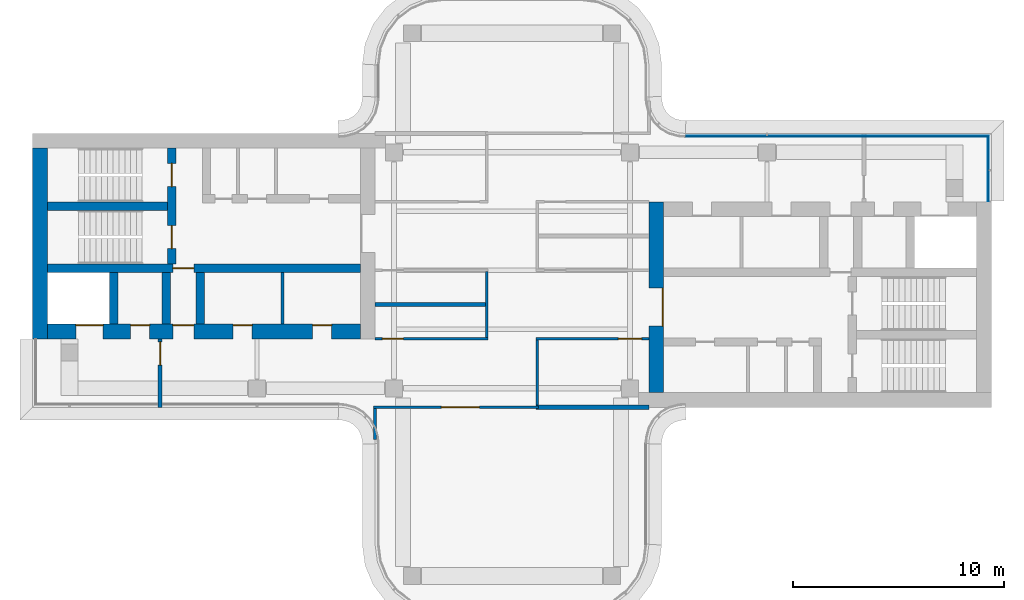
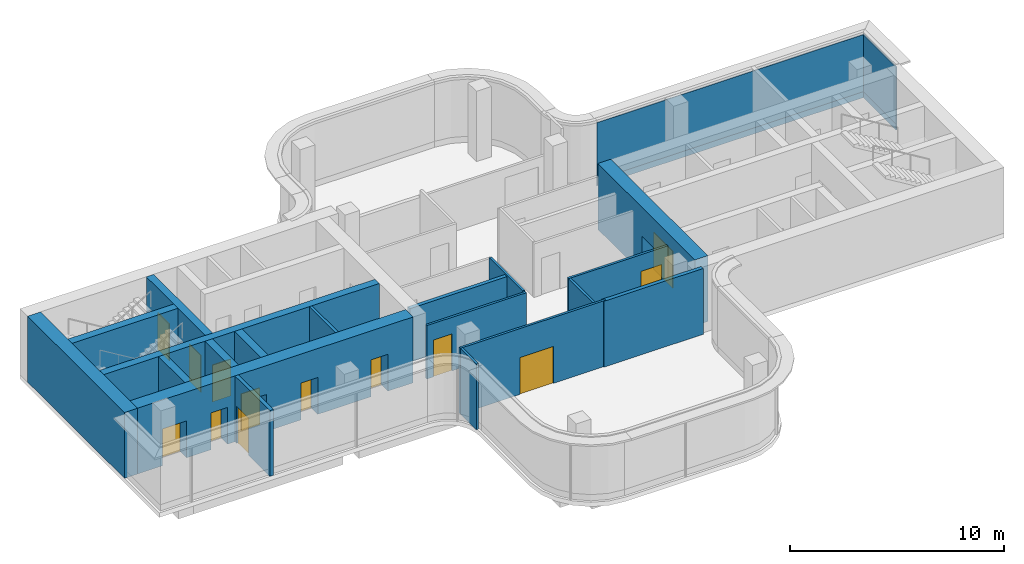
# One storey, part 7 of 10: 19 walls, 13 doors, 4 plates, 13 openings, 2 elements without a shape of their own.
"""IFC4 building model written with IfcOpenShell, lengths in metres."""

import ifcopenshell
import ifcopenshell.guid

model = None  # the IFC model being written
_history = None  # IfcOwnerHistory: only IFC2X3 demands one
_inside = {}  # id of a spatial element -> (the spatial element, [elements in it])
_under = {}  # id of a project, library or spatial element -> (it, [spatial elements below it])
_declared = {}  # id of a project -> (the project, [libraries it declares])
_typed = {}  # id of a type object -> (the type object, [elements of that type])
_made_of = {}  # id of a material, layer set ... -> (it, [elements and type objects made of it])


def new_model(schema):
    """Start an empty IFC model of exactly this schema.

    Asked for "IFC4X3", IfcOpenShell would pick the latest addendum, in which some entities
    have other attributes; the version numbers below select the first issue.
    IFC2X3 requires an IfcOwnerHistory on every rooted entity: one is made here for all.
    """
    global model, _history
    if schema == "IFC4X3":
        model = ifcopenshell.file(schema_version=(4, 3, 0, 0))
    else:
        model = ifcopenshell.file(schema=schema)
    _inside.clear()
    _under.clear()
    _declared.clear()
    _typed.clear()
    _made_of.clear()
    _history = None
    if model.schema == "IFC2X3":
        org = make("IfcOrganization", Name="unknown")
        user = make(
            "IfcPersonAndOrganization",
            ThePerson=make("IfcPerson", FamilyName="unknown"),
            TheOrganization=org,
        )
        app = make(
            "IfcApplication",
            ApplicationDeveloper=org,
            Version="unknown",
            ApplicationFullName="unknown",
            ApplicationIdentifier="unknown",
        )
        _history = make(
            "IfcOwnerHistory",
            OwningUser=user,
            OwningApplication=app,
            ChangeAction="ADDED",
            CreationDate=0,
        )
    return model


def make(cls, **values):
    """One entity of the class cls with the attributes given. An attribute that is None is left unset."""
    return model.create_entity(
        cls, **{name: value for name, value in values.items() if value is not None}
    )


def rooted(cls, **values):
    """An entity with a GlobalId (a new one), such as an element, a storey or a relation."""
    return make(cls, GlobalId=ifcopenshell.guid.new(), OwnerHistory=_history, **values)


def si_unit(unit_type, name, prefix=None):
    """IfcSIUnit, for example si_unit("LENGTHUNIT", "METRE", prefix="MILLI")."""
    return make("IfcSIUnit", UnitType=unit_type, Prefix=prefix, Name=name)


def assignment(units):
    """IfcUnitAssignment: the units of a project."""
    return None if units is None else make("IfcUnitAssignment", Units=units)


def point(xyz):
    """IfcCartesianPoint."""
    return None if xyz is None else make("IfcCartesianPoint", Coordinates=xyz)


def direction(xyz):
    """IfcDirection."""
    return None if xyz is None else make("IfcDirection", DirectionRatios=xyz)


def frame(location, z_axis=None, x_axis=None):
    """IfcAxis2Placement3D, a coordinate frame: its origin and axes. An axis left out is left unset."""
    return make(
        "IfcAxis2Placement3D",
        Location=point(location),
        Axis=direction(z_axis),
        RefDirection=direction(x_axis),
    )


def frame_2d(location, x_axis=None):
    """IfcAxis2Placement2D, a coordinate frame in the plane: its origin and x axis."""
    return make(
        "IfcAxis2Placement2D", Location=point(location), RefDirection=direction(x_axis)
    )


def origin():
    """The frame at (0, 0, 0) with its axes left unset."""
    return frame((0.0, 0.0, 0.0))


def place(relative_to, where):
    """IfcLocalPlacement: puts the frame where relative to a parent placement (None: the world)."""
    return make(
        "IfcLocalPlacement", PlacementRelTo=relative_to, RelativePlacement=where
    )


def context(
    kind, dimensions, precision=None, world=None, true_north=None, identifier=None
):
    """IfcGeometricRepresentationContext, for example the 3D "Model" context."""
    return make(
        "IfcGeometricRepresentationContext",
        ContextIdentifier=identifier,
        ContextType=kind,
        CoordinateSpaceDimension=dimensions,
        Precision=precision,
        WorldCoordinateSystem=world,
        TrueNorth=true_north,
    )


def subcontext(parent, identifier, kind, view, scale=None):
    """IfcGeometricRepresentationSubContext, for example "Body" below "Model"."""
    return make(
        "IfcGeometricRepresentationSubContext",
        ContextIdentifier=identifier,
        ContextType=kind,
        ParentContext=parent,
        TargetScale=scale,
        TargetView=view,
    )


def project(units=None, contexts=None):
    """IfcProject with its units and contexts."""
    return rooted(
        "IfcProject",
        Name="project",
        RepresentationContexts=contexts,
        UnitsInContext=assignment(units),
    )


def spatial(cls, under=None, at=None, **own):
    """A site, building, storey or space (cls), placed at a placement, below another one or the project."""
    s = rooted(cls, ObjectPlacement=at, **own)
    if under is not None:
        _under.setdefault(under.id(), (under, []))[1].append(s)
    return s


def polyline(points):
    """IfcPolyline through the points."""
    return make("IfcPolyline", Points=[point(p) for p in points])


def profile(cls, at=None, kind="AREA", **sizes):
    """A parametric profile (cls). Its sizes go by their IFC names, for example OverallWidth=200.0."""
    return make(cls, ProfileType=kind, Position=at, **sizes)


def rectangle(**sizes):
    """IfcRectangleProfileDef."""
    return profile("IfcRectangleProfileDef", **sizes)


def outline(outer, holes=None, kind="AREA"):
    """IfcArbitraryClosedProfileDef: a profile drawn as a closed curve; with holes, ...WithVoids."""
    if holes is None:
        return make("IfcArbitraryClosedProfileDef", ProfileType=kind, OuterCurve=outer)
    return make(
        "IfcArbitraryProfileDefWithVoids",
        ProfileType=kind,
        OuterCurve=outer,
        InnerCurves=holes,
    )


def extrude(swept, where, along, depth):
    """IfcExtrudedAreaSolid: the profile swept, set in the frame where, extruded along a direction by depth."""
    return make(
        "IfcExtrudedAreaSolid",
        SweptArea=swept,
        Position=where,
        ExtrudedDirection=direction(along),
        Depth=depth,
    )


def shape(context_of_items, identifier, shape_type, items):
    """IfcShapeRepresentation: the items that make up one representation, for example the "Body"."""
    return make(
        "IfcShapeRepresentation",
        ContextOfItems=context_of_items,
        RepresentationIdentifier=identifier,
        RepresentationType=shape_type,
        Items=items,
    )


def source(mapping_origin, context_of_items, identifier, shape_type, items):
    """IfcRepresentationMap: a shape defined once, which mapped items show again and again."""
    return make(
        "IfcRepresentationMap",
        MappingOrigin=mapping_origin,
        MappedRepresentation=shape(context_of_items, identifier, shape_type, items),
    )


def transform(
    local_origin,
    x_axis=None,
    y_axis=None,
    z_axis=None,
    scale=None,
    scale2=None,
    scale3=None,
    uniform=True,
):
    """IfcCartesianTransformationOperator3D, or its non-uniform kind. x_axis, y_axis, z_axis: its Axis1, 2, 3."""
    if uniform:
        return make(
            "IfcCartesianTransformationOperator3D",
            Axis1=direction(x_axis),
            Axis2=direction(y_axis),
            LocalOrigin=point(local_origin),
            Scale=scale,
            Axis3=direction(z_axis),
        )
    return make(
        "IfcCartesianTransformationOperator3DnonUniform",
        Axis1=direction(x_axis),
        Axis2=direction(y_axis),
        LocalOrigin=point(local_origin),
        Scale=scale,
        Axis3=direction(z_axis),
        Scale2=scale2,
        Scale3=scale3,
    )


def mapped(mapping_source, mapping_target):
    """IfcMappedItem: shows the shape of a source again, moved by a transform."""
    return make(
        "IfcMappedItem", MappingSource=mapping_source, MappingTarget=mapping_target
    )


def material(Name=None, Category=None):
    """IfcMaterial."""
    return make("IfcMaterial", Name=Name, Category=Category)


def layer(
    of_material, thickness, ventilated=None, Name=None, Category=None, Priority=None
):
    """IfcMaterialLayer: one layer of a wall or slab, of a material (None: an air gap)."""
    return make(
        "IfcMaterialLayer",
        Material=of_material,
        LayerThickness=thickness,
        IsVentilated=ventilated,
        Name=Name,
        Category=Category,
        Priority=Priority,
    )


def layer_set(layers, Name=None):
    """IfcMaterialLayerSet."""
    return make("IfcMaterialLayerSet", MaterialLayers=layers, LayerSetName=Name)


def made_of(thing, what):
    """Note that an element or type object is made of a material, layer set ...; save() writes the relation."""
    if what is not None:
        _made_of.setdefault(what.id(), (what, []))[1].append(thing)
    return thing


def type_object(cls, material=None, **own):
    """A type object (cls), such as IfcWallType, which elements share."""
    return made_of(rooted(cls, **own), material)


def element(
    cls,
    number,
    at=None,
    inside=None,
    cuts=None,
    type_object=None,
    material=None,
    context=None,
    identifier="Body",
    shape_type=None,
    held_by="IfcProductDefinitionShape",
    body=None,
    shapes=None,
    **own,
):
    """One element of the class cls, such as IfcWall. Its Tag is "e" and its number.

    at: its placement. inside: the storey or other place that contains it. cuts: it is an
    opening in that element (IfcRelVoidsElement). A single representation is given by context,
    identifier, shape_type and body (its items); several are given by shapes. held_by: the class
    of the entity that holds the representations. save() writes the other relations.
    """
    e = rooted(cls, Tag="e%d" % number, ObjectPlacement=at, **own)
    if body is not None:
        shapes = [shape(context, identifier, shape_type, body)]
    if shapes is not None:
        e.Representation = make(held_by, Representations=shapes)
    if inside is not None:
        _inside.setdefault(inside.id(), (inside, []))[1].append(e)
    if cuts is not None:
        rooted(
            "IfcRelVoidsElement", RelatingBuildingElement=cuts, RelatedOpeningElement=e
        )
    if type_object is not None:
        _typed.setdefault(type_object.id(), (type_object, []))[1].append(e)
    return made_of(e, material)


def fill(opening, filler):
    """IfcRelFillsElement: the door or window that sits in an opening."""
    return rooted(
        "IfcRelFillsElement",
        RelatingOpeningElement=opening,
        RelatedBuildingElement=filler,
    )


def aggregate(whole, parts):
    """IfcRelAggregates: a whole, such as a stair, and the parts it consists of."""
    return rooted("IfcRelAggregates", RelatingObject=whole, RelatedObjects=parts)


def save(model, path):
    """Write the relations noted so far, then the file.

    IfcRelAggregates (storeys below a building ...), IfcRelContainedInSpatialStructure (elements
    in a storey), IfcRelDefinesByType, IfcRelAssociatesMaterial and IfcRelDeclares: one each for
    every whole, place, type object, material and project.
    """
    for whole, parts in _under.values():
        aggregate(whole, parts)
    for where, things in _inside.values():
        rooted(
            "IfcRelContainedInSpatialStructure",
            RelatedElements=things,
            RelatingStructure=where,
        )
    for kind, things in _typed.values():
        rooted("IfcRelDefinesByType", RelatedObjects=things, RelatingType=kind)
    for what, things in _made_of.values():
        rooted("IfcRelAssociatesMaterial", RelatedObjects=things, RelatingMaterial=what)
    for by, libraries in _declared.values():
        rooted("IfcRelDeclares", RelatingContext=by, RelatedDefinitions=libraries)
    model.write(path)


model = new_model("IFC4")

# Units and contexts
model_context = context("Model", 3, precision=1e-05, world=origin(), true_north=direction((0.0, 1.0)))
body_context = subcontext(model_context, "Body", "Model", "MODEL_VIEW")
ifc_project = project(units=[si_unit("LENGTHUNIT", "METRE"), si_unit("AREAUNIT", "SQUARE_METRE"), si_unit("VOLUMEUNIT", "CUBIC_METRE"), si_unit("PLANEANGLEUNIT", "RADIAN"), si_unit("MASSUNIT", "GRAM", prefix="KILO")], contexts=[model_context])

# Site, building, storey
site_placement = place(None, origin())
site = spatial("IfcSite", under=ifc_project, at=site_placement, CompositionType="ELEMENT")
building_placement = place(site_placement, origin())
building = spatial("IfcBuilding", under=site, at=building_placement, Name="Trellis Farm Tower", CompositionType="ELEMENT")
storey_placement = place(building_placement, frame((0.0, 0.0, 350.10009765625)))
storey = spatial("IfcBuildingStorey", under=building, at=storey_placement, Name="L79", CompositionType="ELEMENT", Elevation=350.10009765625)

# Curtain wall, plates
ifc_material_1 = material(Name="Aluminium and glass curtain wall", Category="aluminium")
ifc_layer_1 = layer(ifc_material_1, 0.176025390625)
ifc_layer_set_1 = layer_set([ifc_layer_1], Name="CROWN LANTERN CURTAIN WALL CW5")
curtain_wall_type = type_object("IfcCurtainWallType", Name="CROWN LANTERN CURTAIN WALL CW5", PredefinedType="NOTDEFINED", material=ifc_layer_set_1)
placement_1 = place(storey_placement, origin())
curtain_wall_1 = element("IfcCurtainWall", 1, at=placement_1, inside=storey, type_object=curtain_wall_type, Name="CW5 006", PredefinedType="NOTDEFINED")
ifc_material_2 = material(Name="Clear insulated glass", Category="glass")
ifc_layer_2 = layer(ifc_material_2, 0.055908203125)
ifc_layer_set_2 = layer_set([ifc_layer_2], Name="CW5 GLASS PANEL 56")
plate_type_1 = type_object("IfcPlateType", Name="CW5 GLASS PANEL 56", PredefinedType="CURTAIN_PANEL", material=ifc_layer_set_2)
shared_shape_1 = source(origin(), body_context, "Body", "SweptSolid", [
    extrude(outline(polyline([(22.6298828125, 6.3798828125), (8.2275390625, 6.3798828125), (8.2255859375, 6.323974609375), (22.573974609375, 6.323974609375), (22.6298828125, 6.3798828125)])), origin(), (0.0, 0.0, 1.0), 3.25),
])
placement_2 = place(storey_placement, frame((0.0, 0.0, 0.349853515625)))
plate_1 = element("IfcPlate", 2, at=placement_2, type_object=plate_type_1, Name="PL5 006", PredefinedType="CURTAIN_PANEL", context=body_context, shape_type="MappedRepresentation", body=[
    mapped(shared_shape_1, transform((0.0, 0.0, 0.0))),
])
ifc_material_3 = material(Name="Sandstone faced insulated panel", Category="masonry")
ifc_layer_3 = layer(ifc_material_3, 0.044921875)
ifc_layer_set_3 = layer_set([ifc_layer_3], Name="CW5 STONE SPANDREL PANEL 45")
plate_type_2 = type_object("IfcPlateType", Name="CW5 STONE SPANDREL PANEL 45", PredefinedType="CURTAIN_PANEL", material=ifc_layer_set_3)
shared_shape_2 = source(origin(), body_context, "Body", "SweptSolid", [
    extrude(outline(polyline([(22.6298828125, 6.3798828125), (8.2275390625, 6.3798828125), (8.22607421875, 6.3349609375), (22.5849609375, 6.3349609375), (22.6298828125, 6.3798828125)])), origin(), (0.0, 0.0, 1.0), 0.349853515625),
])
plate_2 = element("IfcPlate", 3, at=placement_1, type_object=plate_type_2, Name="PS5 006", PredefinedType="CURTAIN_PANEL", context=body_context, shape_type="MappedRepresentation", body=[
    mapped(shared_shape_2, transform((0.0, 0.0, 0.0))),
])
aggregate(curtain_wall_1, [plate_1, plate_2])

curtain_wall_2 = element("IfcCurtainWall", 4, at=placement_1, inside=storey, type_object=curtain_wall_type, Name="CW5 005", PredefinedType="NOTDEFINED")
shared_shape_3 = source(origin(), body_context, "Body", "SweptSolid", [
    extrude(outline(polyline([(22.6298828125, 3.280029296875), (22.6298828125, 6.3798828125), (22.573974609375, 6.323974609375), (22.573974609375, 3.280029296875), (22.6298828125, 3.280029296875)])), origin(), (0.0, 0.0, 1.0), 3.25),
])
plate_3 = element("IfcPlate", 5, at=placement_2, type_object=plate_type_1, Name="PL5 005", PredefinedType="CURTAIN_PANEL", context=body_context, shape_type="MappedRepresentation", body=[
    mapped(shared_shape_3, transform((0.0, 0.0, 0.0))),
])
shared_shape_4 = source(origin(), body_context, "Body", "SweptSolid", [
    extrude(outline(polyline([(22.6298828125, 3.280029296875), (22.6298828125, 6.3798828125), (22.5849609375, 6.3349609375), (22.5849609375, 3.280029296875), (22.6298828125, 3.280029296875)])), origin(), (0.0, 0.0, 1.0), 0.349853515625),
])
plate_4 = element("IfcPlate", 6, at=placement_1, type_object=plate_type_2, Name="PS5 005", PredefinedType="CURTAIN_PANEL", context=body_context, shape_type="MappedRepresentation", body=[
    mapped(shared_shape_4, transform((0.0, 0.0, 0.0))),
])
aggregate(curtain_wall_2, [plate_3, plate_4])

# Wall, opening, door
ifc_material_4 = material(Name="Concrete C50/60", Category="concrete")
ifc_layer_4 = layer(ifc_material_4, 0.699951171875)
ifc_layer_set_4 = layer_set([ifc_layer_4], Name="CORE OUTER WALL 700 CONCRETE C50/60")
wall_type_1 = type_object("IfcWallType", Name="CORE OUTER WALL 700 CONCRETE C50/60", PredefinedType="SHEAR", material=ifc_layer_set_4)
shared_shape_5 = source(origin(), body_context, "Body", "SweptSolid", [
    extrude(rectangle(XDim=9.050048828125, YDim=0.699951171875, at=frame_2d((4.52490234375, 0.0))), origin(), (0.0, 0.0, 1.0), 3.75),
])
wall_1_placement = place(storey_placement, frame((6.85009765625, -5.800048828125, 0.0), z_axis=(0.0, 0.0, 1.0), x_axis=(0.0, 1.0, 0.0)))
wall_1 = element("IfcWall", 7, at=wall_1_placement, inside=storey, type_object=wall_type_1, Name="Core wall", PredefinedType="SHEAR", context=body_context, shape_type="MappedRepresentation", body=[
    mapped(shared_shape_5, transform((0.0, 0.0, 0.0))),
])
shared_shape_6 = source(origin(), body_context, "Body", "SweptSolid", [
    extrude(rectangle(XDim=1.800048828125, YDim=2.10009765625, at=frame_2d((0.89990234375, 1.050048828125))), frame((0.0, 0.360107421875, 0.0), z_axis=(0.0, -1.0, 0.0), x_axis=(1.0, 0.0, 0.0)), (0.0, 0.0, 1.0), 0.72021484375),
])
opening_1_placement = place(wall_1_placement, frame((3.14990234375, 0.0, 0.0)))
opening_1 = element("IfcOpeningElement", 8, at=opening_1_placement, cuts=wall_1, Name="Opening DC1", PredefinedType="OPENING", context=body_context, shape_type="MappedRepresentation", body=[
    mapped(shared_shape_6, transform((0.0, 0.0, 0.0))),
])
ifc_material_5 = material(Name="Steel", Category="steel")
door_type_1 = type_object("IfcDoorType", Name="CORE FIRE DOOR DOUBLE 1800 X 2100", OperationType="DOUBLE_DOOR_SINGLE_SWING", PredefinedType="DOOR", material=ifc_material_5)
shared_shape_7 = source(origin(), body_context, "Body", "SweptSolid", [
    extrude(rectangle(XDim=1.800048828125, YDim=2.10009765625, at=frame_2d((0.89990234375, 1.050048828125))), frame((0.0, -0.27490234375, 0.0), z_axis=(0.0, -1.0, 0.0), x_axis=(1.0, 0.0, 0.0)), (0.0, 0.0, 1.0), 0.050048828125),
])
door_1_placement = place(opening_1_placement, origin())
door_1 = element("IfcDoor", 9, at=door_1_placement, inside=storey, type_object=door_type_1, Name="Core door", OperationType="DOUBLE_DOOR_SINGLE_SWING", OverallHeight=2.10009765625, OverallWidth=1.800048828125, PredefinedType="DOOR", context=body_context, shape_type="MappedRepresentation", body=[
    mapped(shared_shape_7, transform((0.0, 0.0, 0.0))),
])
fill(opening_1, door_1)

# Walls
wall_2_placement = place(storey_placement, frame((-22.39990234375, 5.800048828125, 0.0), z_axis=(0.0, 0.0, 1.0), x_axis=(0.0, -1.0, 0.0)))
element("IfcWall", 10, at=wall_2_placement, inside=storey, type_object=wall_type_1, Name="Core wall", PredefinedType="SHEAR", context=body_context, shape_type="MappedRepresentation", body=[
    mapped(shared_shape_5, transform((0.0, 0.0, 0.0))),
])
ifc_layer_5 = layer(ifc_material_4, 0.39990234375)
ifc_layer_set_5 = layer_set([ifc_layer_5], Name="CORE INNER WALL 400 CONCRETE C50/60")
wall_type_2 = type_object("IfcWallType", Name="CORE INNER WALL 400 CONCRETE C50/60", PredefinedType="SHEAR", material=ifc_layer_set_5)
shared_shape_8 = source(origin(), body_context, "Body", "SweptSolid", [
    extrude(rectangle(XDim=2.449951171875, YDim=0.39990234375, at=frame_2d((1.22509765625, 0.0))), origin(), (0.0, 0.0, 1.0), 3.75),
])
for number, where, z_axis, x_axis, name in (
    (11, (-14.800048828125, -0.10009765625, 0.0), (0.0, 0.0, 1.0), (0.0, -1.0, 0.0), "Core wall"),
    (12, (-16.39990234375, -0.10009765625, 0.0), (0.0, 0.0, 1.0), (0.0, -1.0, 0.0), "Core wall"),
    (13, (-18.89990234375, -0.10009765625, 0.0), (0.0, 0.0, 1.0), (0.0, -1.0, 0.0), "Core wall"),
):
    element("IfcWall", number, at=place(storey_placement, frame(where, z_axis=z_axis, x_axis=x_axis)), inside=storey, type_object=wall_type_2, Name=name, PredefinedType="SHEAR", context=body_context, shape_type="MappedRepresentation", body=[
        mapped(shared_shape_8, transform((0.0, 0.0, 0.0))),
    ])
ifc_material_6 = material(Name="Masonry blockwork", Category="masonry")
ifc_layer_6 = layer(ifc_material_6, 0.14990234375)
ifc_layer_set_6 = layer_set([ifc_layer_6], Name="CORE PARTITION 150 BLOCKWORK")
wall_type_3 = type_object("IfcWallType", Name="CORE PARTITION 150 BLOCKWORK", PredefinedType="PARTITIONING", material=ifc_layer_set_6)
shared_shape_9 = source(origin(), body_context, "Body", "SweptSolid", [
    extrude(rectangle(XDim=2.449951171875, YDim=0.14990234375, at=frame_2d((1.22509765625, 0.0))), origin(), (0.0, 0.0, 1.0), 3.75),
])
wall_3_placement = place(storey_placement, frame((-10.89990234375, -0.10009765625, 0.0), z_axis=(0.0, 0.0, 1.0), x_axis=(0.0, -1.0, 0.0)))
element("IfcWall", 14, at=wall_3_placement, inside=storey, type_object=wall_type_3, Name="Core room partition", PredefinedType="PARTITIONING", context=body_context, shape_type="MappedRepresentation", body=[
    mapped(shared_shape_9, transform((0.0, 0.0, 0.0))),
])

# Wall, openings, doors
shared_shape_10 = source(origin(), body_context, "Body", "SweptSolid", [
    extrude(rectangle(XDim=14.85009765625, YDim=0.699951171875, at=frame_2d((7.425048828125, 0.0))), origin(), (0.0, 0.0, 1.0), 3.75),
])
wall_4_placement = place(storey_placement, frame((-7.199951171875, -2.89990234375, 0.0), z_axis=(0.0, 0.0, 1.0), x_axis=(-1.0, 0.0, 0.0)))
wall_4 = element("IfcWall", 15, at=wall_4_placement, inside=storey, type_object=wall_type_1, Name="Core wall", PredefinedType="SHEAR", context=body_context, shape_type="MappedRepresentation", body=[
    mapped(shared_shape_10, transform((0.0, 0.0, 0.0))),
])
shared_shape_11 = source(origin(), body_context, "Body", "SweptSolid", [
    extrude(rectangle(XDim=1.300048828125, YDim=2.10009765625, at=frame_2d((0.64990234375, 1.050048828125))), frame((0.0, 0.360107421875, 0.0), z_axis=(0.0, -1.0, 0.0), x_axis=(1.0, 0.0, 0.0)), (0.0, 0.0, 1.0), 0.72021484375),
])
opening_2_placement = place(wall_4_placement, frame((12.199951171875, 0.0, 0.0)))
opening_2 = element("IfcOpeningElement", 16, at=opening_2_placement, cuts=wall_4, Name="Opening LD15", PredefinedType="OPENING", context=body_context, shape_type="MappedRepresentation", body=[
    mapped(shared_shape_11, transform((0.0, 0.0, 0.0))),
])
shared_shape_12 = source(origin(), body_context, "Body", "SweptSolid", [
    extrude(rectangle(XDim=1.0, YDim=2.10009765625, at=frame_2d((0.5, 1.050048828125))), frame((0.0, 0.360107421875, 0.0), z_axis=(0.0, -1.0, 0.0), x_axis=(1.0, 0.0, 0.0)), (0.0, 0.0, 1.0), 0.72021484375),
])
opening_3_placement = place(wall_4_placement, frame((7.89990234375, 0.0, 0.0)))
opening_3 = element("IfcOpeningElement", 17, at=opening_3_placement, cuts=wall_4, Name="Opening DC92", PredefinedType="OPENING", context=body_context, shape_type="MappedRepresentation", body=[
    mapped(shared_shape_12, transform((0.0, 0.0, 0.0))),
])
shared_shape_13 = source(origin(), body_context, "Body", "SweptSolid", [
    extrude(rectangle(XDim=0.89990234375, YDim=2.10009765625, at=frame_2d((0.449951171875, 1.050048828125))), frame((0.0, 0.360107421875, 0.0), z_axis=(0.0, -1.0, 0.0), x_axis=(1.0, 0.0, 0.0)), (0.0, 0.0, 1.0), 0.72021484375),
])
opening_4_placement = place(wall_4_placement, frame((1.362548828125, 0.0, 0.0)))
opening_4 = element("IfcOpeningElement", 18, at=opening_4_placement, cuts=wall_4, Name="Opening DC98", PredefinedType="OPENING", context=body_context, shape_type="MappedRepresentation", body=[
    mapped(shared_shape_13, transform((0.0, 0.0, 0.0))),
])
opening_5_placement = place(wall_4_placement, frame((5.137451171875, 0.0, 0.0)))
opening_5 = element("IfcOpeningElement", 19, at=opening_5_placement, cuts=wall_4, Name="Opening DC103", PredefinedType="OPENING", context=body_context, shape_type="MappedRepresentation", body=[
    mapped(shared_shape_13, transform((0.0, 0.0, 0.0))),
])
opening_6_placement = place(wall_4_placement, frame((10.0, 0.0, 0.0)))
opening_6 = element("IfcOpeningElement", 20, at=opening_6_placement, cuts=wall_4, Name="Opening DC134", PredefinedType="OPENING", context=body_context, shape_type="MappedRepresentation", body=[
    mapped(shared_shape_13, transform((0.0, 0.0, 0.0))),
])
door_type_2 = type_object("IfcDoorType", Name="CORE FIRE DOOR 1000 X 2100", OperationType="NOTDEFINED", PredefinedType="DOOR", material=ifc_material_5)
shared_shape_14 = source(origin(), body_context, "Body", "SweptSolid", [
    extrude(rectangle(XDim=1.0, YDim=2.10009765625, at=frame_2d((0.5, 1.050048828125))), frame((0.0, -0.27490234375, 0.0), z_axis=(0.0, -1.0, 0.0), x_axis=(1.0, 0.0, 0.0)), (0.0, 0.0, 1.0), 0.050048828125),
])
door_2_placement = place(opening_3_placement, origin())
door_2 = element("IfcDoor", 21, at=door_2_placement, inside=storey, type_object=door_type_2, Name="Core door", OperationType="SINGLE_SWING_LEFT", OverallHeight=2.10009765625, OverallWidth=1.0, PredefinedType="DOOR", context=body_context, shape_type="MappedRepresentation", body=[
    mapped(shared_shape_14, transform((0.0, 0.0, 0.0))),
])
fill(opening_3, door_2)
door_type_3 = type_object("IfcDoorType", Name="CORE FIRE DOOR 900 X 2100", OperationType="NOTDEFINED", PredefinedType="DOOR", material=ifc_material_5)
shared_shape_15 = source(origin(), body_context, "Body", "SweptSolid", [
    extrude(rectangle(XDim=0.89990234375, YDim=2.10009765625, at=frame_2d((0.449951171875, 1.050048828125))), frame((0.0, -0.27490234375, 0.0), z_axis=(0.0, -1.0, 0.0), x_axis=(1.0, 0.0, 0.0)), (0.0, 0.0, 1.0), 0.050048828125),
])
door_3_placement = place(opening_4_placement, origin())
door_3 = element("IfcDoor", 22, at=door_3_placement, inside=storey, type_object=door_type_3, Name="Core door", OperationType="SINGLE_SWING_RIGHT", OverallHeight=2.10009765625, OverallWidth=0.89990234375, PredefinedType="DOOR", context=body_context, shape_type="MappedRepresentation", body=[
    mapped(shared_shape_15, transform((0.0, 0.0, 0.0))),
])
fill(opening_4, door_3)
door_4_placement = place(opening_5_placement, origin())
door_4 = element("IfcDoor", 23, at=door_4_placement, inside=storey, type_object=door_type_3, Name="Core door", OperationType="SINGLE_SWING_LEFT", OverallHeight=2.10009765625, OverallWidth=0.89990234375, PredefinedType="DOOR", context=body_context, shape_type="MappedRepresentation", body=[
    mapped(shared_shape_15, transform((0.0, 0.0, 0.0))),
])
fill(opening_5, door_4)
door_5_placement = place(opening_6_placement, origin())
door_5 = element("IfcDoor", 24, at=door_5_placement, inside=storey, type_object=door_type_3, Name="Core door", OperationType="SINGLE_SWING_RIGHT", OverallHeight=2.10009765625, OverallWidth=0.89990234375, PredefinedType="DOOR", context=body_context, shape_type="MappedRepresentation", body=[
    mapped(shared_shape_15, transform((0.0, 0.0, 0.0))),
])
fill(opening_6, door_5)
ifc_material_7 = material(Name="Stainless steel", Category="steel")
door_type_4 = type_object("IfcDoorType", Name="LIFT LANDING DOOR 1300 X 2100", OperationType="DOUBLE_DOOR_SLIDING", PredefinedType="DOOR", material=ifc_material_7)
shared_shape_16 = source(origin(), body_context, "Body", "SweptSolid", [
    extrude(rectangle(XDim=1.300048828125, YDim=2.10009765625, at=frame_2d((0.64990234375, 1.050048828125))), frame((0.0, -0.27490234375, 0.0), z_axis=(0.0, -1.0, 0.0), x_axis=(1.0, 0.0, 0.0)), (0.0, 0.0, 1.0), 0.050048828125),
])
door_6_placement = place(opening_2_placement, origin())
door_6 = element("IfcDoor", 25, at=door_6_placement, inside=storey, type_object=door_type_4, Name="Lift landing door", OperationType="DOUBLE_DOOR_SLIDING", OverallHeight=2.10009765625, OverallWidth=1.300048828125, PredefinedType="DOOR", context=body_context, shape_type="MappedRepresentation", body=[
    mapped(shared_shape_16, transform((0.0, 0.0, 0.0))),
])
fill(opening_2, door_6)

# Wall, opening, door
shared_shape_17 = source(origin(), body_context, "Body", "SweptSolid", [
    extrude(rectangle(XDim=14.85009765625, YDim=0.39990234375, at=frame_2d((7.425048828125, 0.0))), origin(), (0.0, 0.0, 1.0), 3.75),
])
wall_5_placement = place(storey_placement, frame((-7.199951171875, 0.10009765625, 0.0), z_axis=(0.0, 0.0, 1.0), x_axis=(-1.0, 0.0, 0.0)))
wall_5 = element("IfcWall", 26, at=wall_5_placement, inside=storey, type_object=wall_type_2, Name="Core wall", PredefinedType="SHEAR", context=body_context, shape_type="MappedRepresentation", body=[
    mapped(shared_shape_17, transform((0.0, 0.0, 0.0))),
])
shared_shape_18 = source(origin(), body_context, "Body", "SweptSolid", [
    extrude(rectangle(XDim=1.0, YDim=2.10009765625, at=frame_2d((0.5, 1.050048828125))), frame((0.0, 0.2099609375, 0.0), z_axis=(0.0, -1.0, 0.0), x_axis=(1.0, 0.0, 0.0)), (0.0, 0.0, 1.0), 0.419921875),
])
opening_7_placement = place(wall_5_placement, frame((7.89990234375, 0.0, 0.0)))
opening_7 = element("IfcOpeningElement", 27, at=opening_7_placement, cuts=wall_5, Name="Opening DC91", PredefinedType="OPENING", context=body_context, shape_type="MappedRepresentation", body=[
    mapped(shared_shape_18, transform((0.0, 0.0, 0.0))),
])
shared_shape_19 = source(origin(), body_context, "Body", "SweptSolid", [
    extrude(rectangle(XDim=1.0, YDim=2.10009765625, at=frame_2d((0.5, 1.050048828125))), frame((0.0, 0.02490234375, 0.0), z_axis=(0.0, -1.0, 0.0), x_axis=(1.0, 0.0, 0.0)), (0.0, 0.0, 1.0), 0.050048828125),
])
door_7_placement = place(opening_7_placement, origin())
door_7 = element("IfcDoor", 28, at=door_7_placement, inside=storey, type_object=door_type_2, Name="Core door", OperationType="SINGLE_SWING_RIGHT", OverallHeight=2.10009765625, OverallWidth=1.0, PredefinedType="DOOR", context=body_context, shape_type="MappedRepresentation", body=[
    mapped(shared_shape_19, transform((0.0, 0.0, 0.0))),
])
fill(opening_7, door_7)

# Wall, openings, doors
shared_shape_20 = source(origin(), body_context, "Body", "SweptSolid", [
    extrude(rectangle(XDim=5.5, YDim=0.39990234375, at=frame_2d((2.75, 0.0))), origin(), (0.0, 0.0, 1.0), 3.75),
])
wall_6_placement = place(storey_placement, frame((-16.14990234375, 5.800048828125, 0.0), z_axis=(0.0, 0.0, 1.0), x_axis=(0.0, -1.0, 0.0)))
wall_6 = element("IfcWall", 29, at=wall_6_placement, inside=storey, type_object=wall_type_2, Name="Core wall", PredefinedType="SHEAR", context=body_context, shape_type="MappedRepresentation", body=[
    mapped(shared_shape_20, transform((0.0, 0.0, 0.0))),
])
shared_shape_21 = source(origin(), body_context, "Body", "SweptSolid", [
    extrude(rectangle(XDim=1.10009765625, YDim=2.10009765625, at=frame_2d((0.550048828125, 1.050048828125))), frame((0.0, 0.2099609375, 0.0), z_axis=(0.0, -1.0, 0.0), x_axis=(1.0, 0.0, 0.0)), (0.0, 0.0, 1.0), 0.419921875),
])
opening_8_placement = place(wall_6_placement, frame((0.72509765625, 0.0, 0.0)))
opening_8 = element("IfcOpeningElement", 30, at=opening_8_placement, cuts=wall_6, Name="Opening DC88", PredefinedType="OPENING", context=body_context, shape_type="MappedRepresentation", body=[
    mapped(shared_shape_21, transform((0.0, 0.0, 0.0))),
])
opening_9_placement = place(wall_6_placement, frame((3.675048828125, 0.0, 0.0)))
opening_9 = element("IfcOpeningElement", 31, at=opening_9_placement, cuts=wall_6, Name="Opening DC89", PredefinedType="OPENING", context=body_context, shape_type="MappedRepresentation", body=[
    mapped(shared_shape_21, transform((0.0, 0.0, 0.0))),
])
door_type_5 = type_object("IfcDoorType", Name="CORE FIRE DOOR 1100 X 2100", OperationType="NOTDEFINED", PredefinedType="DOOR", material=ifc_material_5)
shared_shape_22 = source(origin(), body_context, "Body", "SweptSolid", [
    extrude(rectangle(XDim=1.10009765625, YDim=2.10009765625, at=frame_2d((0.550048828125, 1.050048828125))), frame((0.0, 0.02490234375, 0.0), z_axis=(0.0, -1.0, 0.0), x_axis=(1.0, 0.0, 0.0)), (0.0, 0.0, 1.0), 0.050048828125),
])
door_8_placement = place(opening_8_placement, origin())
door_8 = element("IfcDoor", 32, at=door_8_placement, inside=storey, type_object=door_type_5, Name="Core door", OperationType="SINGLE_SWING_RIGHT", OverallHeight=2.10009765625, OverallWidth=1.10009765625, PredefinedType="DOOR", context=body_context, shape_type="MappedRepresentation", body=[
    mapped(shared_shape_22, transform((0.0, 0.0, 0.0))),
])
fill(opening_8, door_8)
door_9_placement = place(opening_9_placement, origin())
door_9 = element("IfcDoor", 33, at=door_9_placement, inside=storey, type_object=door_type_5, Name="Core door", OperationType="SINGLE_SWING_LEFT", OverallHeight=2.10009765625, OverallWidth=1.10009765625, PredefinedType="DOOR", context=body_context, shape_type="MappedRepresentation", body=[
    mapped(shared_shape_22, transform((0.0, 0.0, 0.0))),
])
fill(opening_9, door_9)

# Wall
shared_shape_23 = source(origin(), body_context, "Body", "SweptSolid", [
    extrude(rectangle(XDim=5.699951171875, YDim=0.39990234375, at=frame_2d((2.85009765625, 0.0))), origin(), (0.0, 0.0, 1.0), 3.75),
])
wall_7_placement = place(storey_placement, frame((-16.35009765625, 3.050048828125, 0.0), z_axis=(0.0, 0.0, 1.0), x_axis=(-1.0, 0.0, 0.0)))
element("IfcWall", 34, at=wall_7_placement, inside=storey, type_object=wall_type_2, Name="Core wall", PredefinedType="SHEAR", context=body_context, shape_type="MappedRepresentation", body=[
    mapped(shared_shape_23, transform((0.0, 0.0, 0.0))),
])

# Wall, opening, door
ifc_layer_7 = layer(ifc_material_6, 0.199951171875)
ifc_layer_set_7 = layer_set([ifc_layer_7], Name="FIRE LOBBY PARTITION 200 BLOCKWORK")
wall_type_4 = type_object("IfcWallType", Name="FIRE LOBBY PARTITION 200 BLOCKWORK", PredefinedType="PARTITIONING", material=ifc_layer_set_7)
shared_shape_24 = source(origin(), body_context, "Body", "SweptSolid", [
    extrude(rectangle(XDim=3.25, YDim=0.199951171875, at=frame_2d((1.625, 0.0))), origin(), (0.0, 0.0, 1.0), 3.75),
])
wall_8_placement = place(storey_placement, frame((-16.699951171875, -3.25, 0.0), z_axis=(0.0, 0.0, 1.0), x_axis=(0.0, -1.0, 0.0)))
wall_8 = element("IfcWall", 35, at=wall_8_placement, inside=storey, type_object=wall_type_4, Name="Fire-fighting lobby partition", PredefinedType="PARTITIONING", context=body_context, shape_type="MappedRepresentation", body=[
    mapped(shared_shape_24, transform((0.0, 0.0, 0.0))),
])
shared_shape_25 = source(origin(), body_context, "Body", "SweptSolid", [
    extrude(rectangle(XDim=1.10009765625, YDim=2.10009765625, at=frame_2d((0.550048828125, 1.050048828125))), frame((0.0, 0.110107421875, 0.0), z_axis=(0.0, -1.0, 0.0), x_axis=(1.0, 0.0, 0.0)), (0.0, 0.0, 1.0), 0.22021484375),
])
opening_10_placement = place(wall_8_placement, frame((0.14990234375, 0.0, 0.0)))
opening_10 = element("IfcOpeningElement", 36, at=opening_10_placement, cuts=wall_8, Name="Opening DC93", PredefinedType="OPENING", context=body_context, shape_type="MappedRepresentation", body=[
    mapped(shared_shape_25, transform((0.0, 0.0, 0.0))),
])
door_10_placement = place(opening_10_placement, origin())
door_10 = element("IfcDoor", 37, at=door_10_placement, inside=storey, type_object=door_type_5, Name="Core door", OperationType="SINGLE_SWING_RIGHT", OverallHeight=2.10009765625, OverallWidth=1.10009765625, PredefinedType="DOOR", context=body_context, shape_type="MappedRepresentation", body=[
    mapped(shared_shape_22, transform((0.0, 0.0, 0.0))),
])
fill(opening_10, door_10)

# Walls
ifc_material_8 = material(Name="Plasterboard on steel studs, mineral wool", Category="steel")
ifc_layer_8 = layer(ifc_material_8, 0.125)
ifc_layer_set_8 = layer_set([ifc_layer_8], Name="PARTITION 125 STUD EI 60")
wall_type_5 = type_object("IfcWallType", Name="PARTITION 125 STUD EI 60", PredefinedType="PARTITIONING", material=ifc_layer_set_8)
shared_shape_26 = source(origin(), body_context, "Body", "SweptSolid", [
    extrude(rectangle(XDim=3.125, YDim=0.125, at=frame_2d((1.5625, 0.0))), origin(), (0.0, 0.0, 1.0), 3.11767578125),
])
wall_9_placement = place(storey_placement, frame((-1.199951171875, -0.0625, 0.0), z_axis=(0.0, 0.0, 1.0), x_axis=(0.0, -1.0, 0.0)))
element("IfcWall", 38, at=wall_9_placement, inside=storey, type_object=wall_type_5, Name="Partition PW1", PredefinedType="PARTITIONING", context=body_context, shape_type="MappedRepresentation", body=[
    mapped(shared_shape_26, transform((0.0, 0.0, 0.0))),
])
shared_shape_27 = source(origin(), body_context, "Body", "SweptSolid", [
    extrude(rectangle(XDim=1.468994140625, YDim=0.125, at=frame_2d((0.734375, 0.0))), origin(), (0.0, 0.0, 1.0), 3.75),
])
wall_10_placement = place(storey_placement, frame((-6.5, -6.5625, 0.0), z_axis=(0.0, 0.0, 1.0), x_axis=(0.0, -1.0, 0.0)))
element("IfcWall", 39, at=wall_10_placement, inside=storey, type_object=wall_type_5, Name="Partition PW1", PredefinedType="PARTITIONING", context=body_context, shape_type="MappedRepresentation", body=[
    mapped(shared_shape_27, transform((0.0, 0.0, 0.0))),
])

# Wall, opening, door
shared_shape_28 = source(origin(), body_context, "Body", "SweptSolid", [
    extrude(rectangle(XDim=5.362548828125, YDim=0.125, at=frame_2d((2.68115234375, 0.0))), origin(), (0.0, 0.0, 1.0), 3.04638671875),
])
wall_11_placement = place(storey_placement, frame((-1.137451171875, -3.25, 0.0), z_axis=(0.0, 0.0, 1.0), x_axis=(-1.0, 0.0, 0.0)))
wall_11 = element("IfcWall", 40, at=wall_11_placement, inside=storey, type_object=wall_type_5, Name="Partition PW1", PredefinedType="PARTITIONING", context=body_context, shape_type="MappedRepresentation", body=[
    mapped(shared_shape_28, transform((0.0, 0.0, 0.0))),
])
shared_shape_29 = source(origin(), body_context, "Body", "SweptSolid", [
    extrude(rectangle(XDim=1.0, YDim=2.10009765625, at=frame_2d((0.5, 1.050048828125))), frame((0.0, 0.072509765625, 0.0), z_axis=(0.0, -1.0, 0.0), x_axis=(1.0, 0.0, 0.0)), (0.0, 0.0, 1.0), 0.14501953125),
])
opening_11_placement = place(wall_11_placement, frame((4.012451171875, 0.0, 0.0)))
opening_11 = element("IfcOpeningElement", 41, at=opening_11_placement, cuts=wall_11, Name="Opening D101", PredefinedType="OPENING", context=body_context, shape_type="MappedRepresentation", body=[
    mapped(shared_shape_29, transform((0.0, 0.0, 0.0))),
])
ifc_material_9 = material(Name="Fire-rated timber door leaf in a hollow metal frame", Category="wood")
door_type_6 = type_object("IfcDoorType", Name="DOOR 1000x2100 FD30S", OperationType="NOTDEFINED", PredefinedType="DOOR", material=ifc_material_9)
door_11_placement = place(opening_11_placement, origin())
door_11 = element("IfcDoor", 42, at=door_11_placement, inside=storey, type_object=door_type_6, Name="Door D101", OperationType="SINGLE_SWING_RIGHT", OverallHeight=2.10009765625, OverallWidth=1.0, PredefinedType="DOOR", context=body_context, shape_type="MappedRepresentation", body=[
    mapped(shared_shape_19, transform((0.0, 0.0, 0.0))),
])
fill(opening_11, door_11)

wall_12_placement = place(storey_placement, frame((6.5, -3.25, 0.0), z_axis=(0.0, 0.0, 1.0), x_axis=(-1.0, 0.0, 0.0)))
wall_12 = element("IfcWall", 43, at=wall_12_placement, inside=storey, type_object=wall_type_5, Name="Partition PW1", PredefinedType="PARTITIONING", context=body_context, shape_type="MappedRepresentation", body=[
    mapped(shared_shape_28, transform((0.0, 0.0, 0.0))),
])
shared_shape_30 = source(origin(), body_context, "Body", "SweptSolid", [
    extrude(rectangle(XDim=1.10009765625, YDim=2.10009765625, at=frame_2d((0.550048828125, 1.050048828125))), frame((0.0, 0.072509765625, 0.0), z_axis=(0.0, -1.0, 0.0), x_axis=(1.0, 0.0, 0.0)), (0.0, 0.0, 1.0), 0.14501953125),
])
opening_12_placement = place(wall_12_placement, frame((0.35009765625, 0.0, 0.0)))
opening_12 = element("IfcOpeningElement", 44, at=opening_12_placement, cuts=wall_12, Name="Opening D501", PredefinedType="OPENING", context=body_context, shape_type="MappedRepresentation", body=[
    mapped(shared_shape_30, transform((0.0, 0.0, 0.0))),
])
door_type_7 = type_object("IfcDoorType", Name="DOOR 1100x2100 FD30S", OperationType="NOTDEFINED", PredefinedType="DOOR", material=ifc_material_9)
door_12_placement = place(opening_12_placement, origin())
door_12 = element("IfcDoor", 45, at=door_12_placement, inside=storey, type_object=door_type_7, Name="Door D501", OperationType="SINGLE_SWING_LEFT", OverallHeight=2.10009765625, OverallWidth=1.10009765625, PredefinedType="DOOR", context=body_context, shape_type="MappedRepresentation", body=[
    mapped(shared_shape_22, transform((0.0, 0.0, 0.0))),
])
fill(opening_12, door_12)

# Walls
shared_shape_31 = source(origin(), body_context, "Body", "SweptSolid", [
    extrude(rectangle(XDim=3.08740234375, YDim=0.125, at=frame_2d((1.543701171875, 0.0))), origin(), (0.0, 0.0, 1.0), 3.04638671875),
])
wall_13_placement = place(storey_placement, frame((1.199951171875, -3.3125, 0.0), z_axis=(0.0, 0.0, 1.0), x_axis=(0.0, -1.0, 0.0)))
element("IfcWall", 46, at=wall_13_placement, inside=storey, type_object=wall_type_5, Name="Partition PW1", PredefinedType="PARTITIONING", context=body_context, shape_type="MappedRepresentation", body=[
    mapped(shared_shape_31, transform((0.0, 0.0, 0.0))),
])
ifc_material_10 = material(Name="Lightweight blockwork, plastered", Category="masonry")
ifc_layer_9 = layer(ifc_material_10, 0.199951171875)
ifc_layer_set_9 = layer_set([ifc_layer_9], Name="BLOCK WALL 200 EI 120")
wall_type_6 = type_object("IfcWallType", Name="BLOCK WALL 200 EI 120", PredefinedType="PARTITIONING", material=ifc_layer_set_9)
shared_shape_32 = source(origin(), body_context, "Body", "SweptSolid", [
    extrude(rectangle(XDim=5.362548828125, YDim=0.199951171875, at=frame_2d((2.68115234375, 0.0))), origin(), (0.0, 0.0, 1.0), 3.75),
])
wall_14_placement = place(storey_placement, frame((1.137451171875, -6.5, 0.0), z_axis=(0.0, 0.0, 1.0), x_axis=(1.0, 0.0, 0.0)))
element("IfcWall", 47, at=wall_14_placement, inside=storey, type_object=wall_type_6, Name="Partition PW3", PredefinedType="PARTITIONING", context=body_context, shape_type="MappedRepresentation", body=[
    mapped(shared_shape_32, transform((0.0, 0.0, 0.0))),
])

# Wall, opening, door
shared_shape_33 = source(origin(), body_context, "Body", "SweptSolid", [
    extrude(rectangle(XDim=7.824951171875, YDim=0.125, at=frame_2d((3.91259765625, 0.0))), origin(), (0.0, 0.0, 1.0), 3.75),
])
wall_15_placement = place(storey_placement, frame((1.262451171875, -6.5, 0.0), z_axis=(0.0, 0.0, 1.0), x_axis=(-1.0, 0.0, 0.0)))
wall_15 = element("IfcWall", 48, at=wall_15_placement, inside=storey, type_object=wall_type_5, Name="Partition PW1", PredefinedType="PARTITIONING", context=body_context, shape_type="MappedRepresentation", body=[
    mapped(shared_shape_33, transform((0.0, 0.0, 0.0))),
])
shared_shape_34 = source(origin(), body_context, "Body", "SweptSolid", [
    extrude(rectangle(XDim=1.800048828125, YDim=2.10009765625, at=frame_2d((0.89990234375, 1.050048828125))), frame((0.0, 0.072509765625, 0.0), z_axis=(0.0, -1.0, 0.0), x_axis=(1.0, 0.0, 0.0)), (0.0, 0.0, 1.0), 0.14501953125),
])
opening_13_placement = place(wall_15_placement, frame((2.8125, 0.0, 0.0)))
opening_13 = element("IfcOpeningElement", 49, at=opening_13_placement, cuts=wall_15, Name="Opening D401", PredefinedType="OPENING", context=body_context, shape_type="MappedRepresentation", body=[
    mapped(shared_shape_34, transform((0.0, 0.0, 0.0))),
])
door_type_8 = type_object("IfcDoorType", Name="DOOR PAIR 1800x2100 FD60", OperationType="NOTDEFINED", PredefinedType="DOOR", material=ifc_material_9)
shared_shape_35 = source(origin(), body_context, "Body", "SweptSolid", [
    extrude(rectangle(XDim=1.800048828125, YDim=2.10009765625, at=frame_2d((0.89990234375, 1.050048828125))), frame((0.0, 0.02490234375, 0.0), z_axis=(0.0, -1.0, 0.0), x_axis=(1.0, 0.0, 0.0)), (0.0, 0.0, 1.0), 0.050048828125),
])
door_13_placement = place(opening_13_placement, origin())
door_13 = element("IfcDoor", 50, at=door_13_placement, inside=storey, type_object=door_type_8, Name="Door D401", OperationType="DOUBLE_DOOR_SINGLE_SWING", OverallHeight=2.10009765625, OverallWidth=1.800048828125, PredefinedType="DOOR", context=body_context, shape_type="MappedRepresentation", body=[
    mapped(shared_shape_35, transform((0.0, 0.0, 0.0))),
])
fill(opening_13, door_13)

# Wall
shared_shape_36 = source(origin(), body_context, "Body", "SweptSolid", [
    extrude(rectangle(XDim=5.237548828125, YDim=0.199951171875, at=frame_2d((2.61865234375, 0.0))), origin(), (0.0, 0.0, 1.0), 3.04638671875),
])
wall_16_placement = place(storey_placement, frame((-6.5, -1.625, 0.0), z_axis=(0.0, 0.0, 1.0), x_axis=(1.0, 0.0, 0.0)))
element("IfcWall", 51, at=wall_16_placement, inside=storey, type_object=wall_type_6, Name="Partition PW3", PredefinedType="PARTITIONING", context=body_context, shape_type="MappedRepresentation", body=[
    mapped(shared_shape_36, transform((0.0, 0.0, 0.0))),
])

save(model, "model.ifc")
